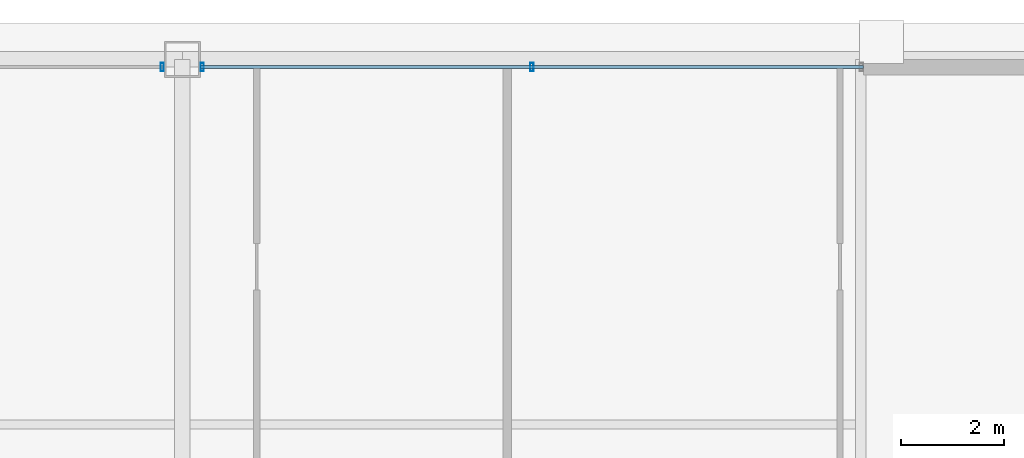
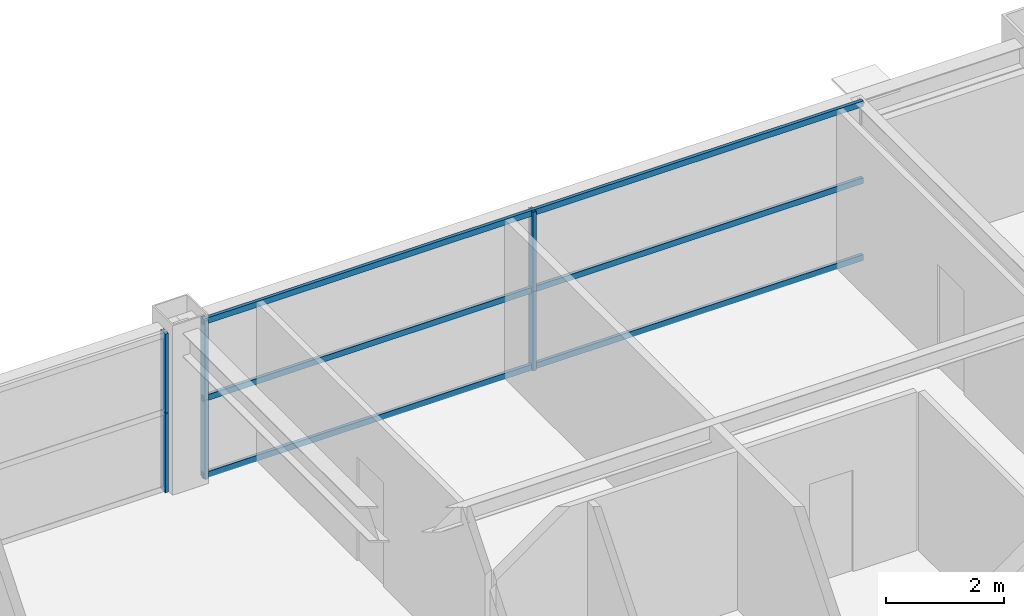
# One storey, part 28 of 37: 9 members, 2 elements without a shape of their own.
"""IFC4 building model written with IfcOpenShell, lengths in metres."""

from ifc_helpers import new_model, si_unit, direction, frame, origin, origin_2d, place, context, subcontext, project, spatial, hollow_rectangle, extrude, source, transform, mapped, material, layer, layer_set, material_profile, profile_set, type_object, element, aggregate, save


model = new_model("IFC4")

# Units and contexts
model_context = context("Model", 3, precision=1e-05, world=origin(), true_north=direction((0.0, 1.0)))
body_context = subcontext(model_context, "Body", "Model", "MODEL_VIEW")
ifc_project = project(units=[si_unit("LENGTHUNIT", "METRE"), si_unit("AREAUNIT", "SQUARE_METRE"), si_unit("VOLUMEUNIT", "CUBIC_METRE"), si_unit("PLANEANGLEUNIT", "RADIAN"), si_unit("MASSUNIT", "GRAM", prefix="KILO"), si_unit("THERMODYNAMICTEMPERATUREUNIT", "KELVIN"), si_unit("POWERUNIT", "WATT")], contexts=[model_context])

# Site, building, storey
site_placement = place(None, origin())
site = spatial("IfcSite", under=ifc_project, at=site_placement, CompositionType="ELEMENT")
building_placement = place(site_placement, origin())
building = spatial("IfcBuilding", under=site, at=building_placement, Name="Yuzanri Waterfront Tower", CompositionType="ELEMENT")
storey_placement = place(building_placement, frame((0.0, 0.0, 252.10009765625)))
storey = spatial("IfcBuildingStorey", under=building, at=storey_placement, Name="L67", CompositionType="ELEMENT", Elevation=252.10009765625)

# Curtain wall, members
ifc_material_1 = material(Name="Anodized Architectural Bronze", Category="metal")
ifc_layer = layer(ifc_material_1, 0.159912109375)
ifc_layer_set = layer_set([ifc_layer], Name="Anodized Architectural Bronze")
curtain_wall_type = type_object("IfcCurtainWallType", Name="Anodized Bronze Mid-Rise Residential Acoustic Unitized Curtain Wall 7200", PredefinedType="NOTDEFINED", material=ifc_layer_set)
curtain_wall_1_placement = place(storey_placement, origin())
curtain_wall_1 = element("IfcCurtainWall", 1, at=curtain_wall_1_placement, inside=storey, type_object=curtain_wall_type, Name="L67 Curtain Wall CW-L67-NL", PredefinedType="NOTDEFINED")
ifc_material_2 = material(Name="Anodized Architectural Bronze", Category="metal")
ifc_material_profile_1 = material_profile(ifc_material_2, hollow_rectangle(XDim=0.06494140625, YDim=0.159912109375, WallThickness=0.00341796875, at=origin_2d()), Name="CWM 65x160")
ifc_profile_set_1 = profile_set([ifc_material_profile_1], Name="Anodized Architectural Bronze")
member_type_1 = type_object("IfcMemberType", Name="Anodized Bronze Upper-Zone Curtain-Wall Mullion 65x160", PredefinedType="MULLION", material=ifc_profile_set_1)
shared_shape_1 = source(origin(), body_context, "Body", "SweptSolid", [
    extrude(hollow_rectangle(XDim=0.06494140625, YDim=0.159912109375, WallThickness=0.00341796875, at=origin_2d()), origin(), (0.0, 0.0, 1.0), 1.637939453125),
])
member_1_placement = place(storey_placement, frame((36.610107421875, 46.25, 0.0), z_axis=(0.0, 0.0, 1.0), x_axis=(1.0, 0.0, 0.0)))
member_1 = element("IfcMember", 2, at=member_1_placement, type_object=member_type_1, Name="CW-L67-NL Lower Mullion 02", PredefinedType="MULLION", context=body_context, shape_type="MappedRepresentation", body=[
    mapped(shared_shape_1, transform((0.0, 0.0, 0.0), scale=1.0)),
])
member_2_placement = place(storey_placement, frame((36.610107421875, 46.25, 1.641845703125), z_axis=(0.0, 0.0, 1.0), x_axis=(1.0, 0.0, 0.0)))
member_2 = element("IfcMember", 3, at=member_2_placement, type_object=member_type_1, Name="CW-L67-NL Upper Mullion 02", PredefinedType="MULLION", context=body_context, shape_type="MappedRepresentation", body=[
    mapped(shared_shape_1, transform((0.0, 0.0, 0.0), scale=1.0)),
])
aggregate(curtain_wall_1, [member_1, member_2])

curtain_wall_2_placement = place(storey_placement, origin())
curtain_wall_2 = element("IfcCurtainWall", 4, at=curtain_wall_2_placement, inside=storey, type_object=curtain_wall_type, Name="L67 Curtain Wall CW-L67-NR", PredefinedType="NOTDEFINED")
member_3_placement = place(storey_placement, frame((37.389892578125, 46.25, 0.0), z_axis=(0.0, 0.0, 1.0), x_axis=(1.0, 0.0, 0.0)))
member_3 = element("IfcMember", 5, at=member_3_placement, type_object=member_type_1, Name="CW-L67-NR Lower Mullion 00", PredefinedType="MULLION", context=body_context, shape_type="MappedRepresentation", body=[
    mapped(shared_shape_1, transform((0.0, 0.0, 0.0), scale=1.0)),
])
member_4_placement = place(storey_placement, frame((37.389892578125, 46.25, 1.641845703125), z_axis=(0.0, 0.0, 1.0), x_axis=(1.0, 0.0, 0.0)))
member_4 = element("IfcMember", 6, at=member_4_placement, type_object=member_type_1, Name="CW-L67-NR Upper Mullion 00", PredefinedType="MULLION", context=body_context, shape_type="MappedRepresentation", body=[
    mapped(shared_shape_1, transform((0.0, 0.0, 0.0), scale=1.0)),
])
member_5_placement = place(storey_placement, frame((43.800048828125, 46.25, 0.0), z_axis=(0.0, 0.0, 1.0), x_axis=(1.0, 0.0, 0.0)))
member_5 = element("IfcMember", 7, at=member_5_placement, type_object=member_type_1, Name="CW-L67-NR Lower Mullion 01", PredefinedType="MULLION", context=body_context, shape_type="MappedRepresentation", body=[
    mapped(shared_shape_1, transform((0.0, 0.0, 0.0), scale=1.0)),
])
member_6_placement = place(storey_placement, frame((43.800048828125, 46.25, 1.641845703125), z_axis=(0.0, 0.0, 1.0), x_axis=(1.0, 0.0, 0.0)))
member_6 = element("IfcMember", 8, at=member_6_placement, type_object=member_type_1, Name="CW-L67-NR Upper Mullion 01", PredefinedType="MULLION", context=body_context, shape_type="MappedRepresentation", body=[
    mapped(shared_shape_1, transform((0.0, 0.0, 0.0), scale=1.0)),
])
ifc_material_3 = material(Name="Anodized Architectural Bronze", Category="metal")
ifc_material_profile_2 = material_profile(ifc_material_3, hollow_rectangle(XDim=0.06494140625, YDim=0.1201171875, WallThickness=0.00341796875, at=origin_2d()), Name="CWT 65x120")
ifc_profile_set_2 = profile_set([ifc_material_profile_2], Name="Anodized Architectural Bronze")
member_type_2 = type_object("IfcMemberType", Name="Anodized Bronze Secondary Curtain-Wall Transom 65x120", PredefinedType="USERDEFINED", material=ifc_profile_set_2)
shared_shape_2 = source(origin(), body_context, "Body", "SweptSolid", [
    extrude(hollow_rectangle(XDim=0.06494140625, YDim=0.1201171875, WallThickness=0.00341796875, at=origin_2d()), origin(), (0.0, 0.0, 1.0), 12.89990234375),
])
member_7_placement = place(storey_placement, frame((37.35009765625, 46.25, 0.0498046875), z_axis=(1.0, 0.0, 0.0), x_axis=(0.0, 1.0, 0.0)))
member_7 = element("IfcMember", 9, at=member_7_placement, type_object=member_type_2, Name="CW-L67-NR Transom 1", ObjectType="TRANSOM", PredefinedType="USERDEFINED", context=body_context, shape_type="MappedRepresentation", body=[
    mapped(shared_shape_2, transform((0.0, 0.0, 0.0), scale=1.0)),
])
member_8_placement = place(storey_placement, frame((37.35009765625, 46.25, 1.639892578125), z_axis=(1.0, 0.0, 0.0), x_axis=(0.0, 1.0, 0.0)))
member_8 = element("IfcMember", 10, at=member_8_placement, type_object=member_type_2, Name="CW-L67-NR Transom 2", ObjectType="TRANSOM", PredefinedType="USERDEFINED", context=body_context, shape_type="MappedRepresentation", body=[
    mapped(shared_shape_2, transform((0.0, 0.0, 0.0), scale=1.0)),
])
member_9_placement = place(storey_placement, frame((37.35009765625, 46.25, 3.22998046875), z_axis=(1.0, 0.0, 0.0), x_axis=(0.0, 1.0, 0.0)))
member_9 = element("IfcMember", 11, at=member_9_placement, type_object=member_type_2, Name="CW-L67-NR Transom 3", ObjectType="TRANSOM", PredefinedType="USERDEFINED", context=body_context, shape_type="MappedRepresentation", body=[
    mapped(shared_shape_2, transform((0.0, 0.0, 0.0), scale=1.0)),
])
aggregate(curtain_wall_2, [member_3, member_4, member_5, member_6, member_7, member_8, member_9])

save(model, "model.ifc")
